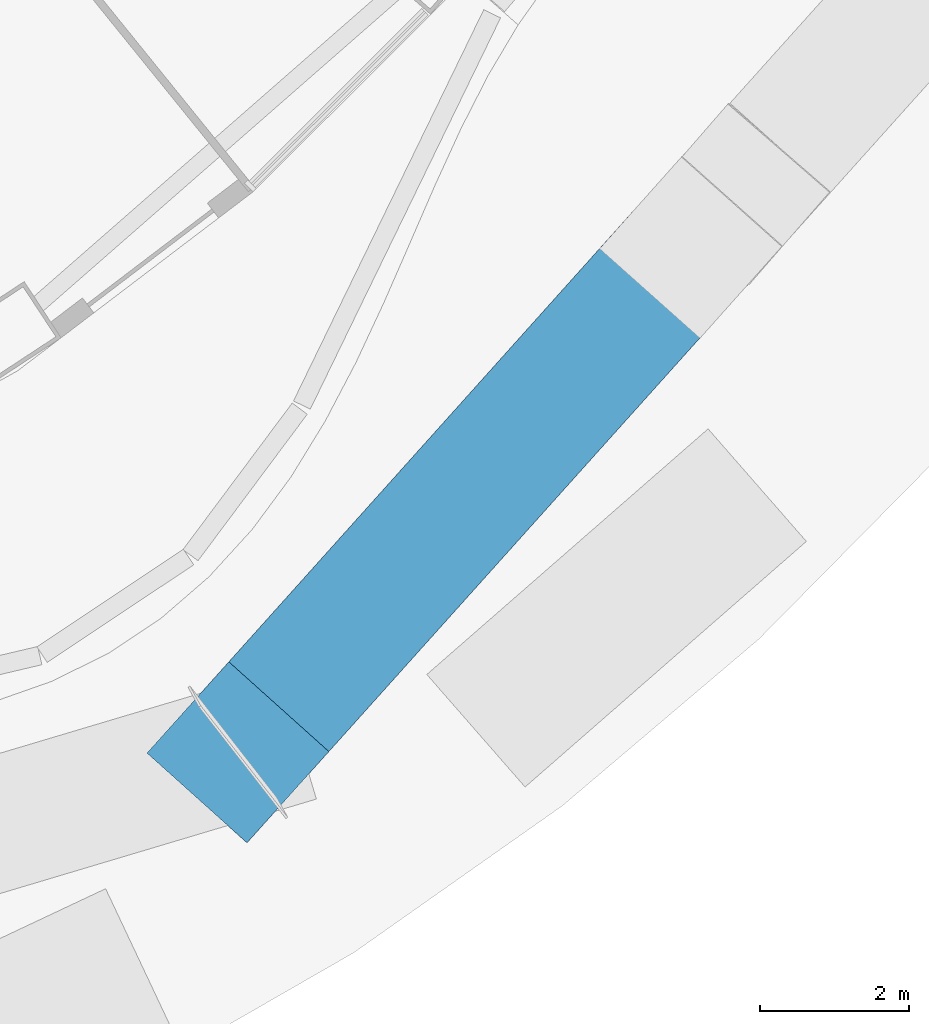
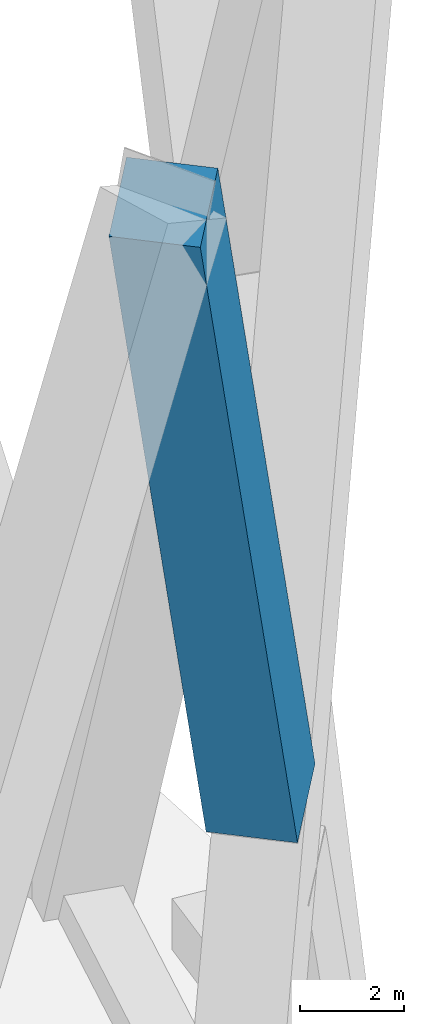
# One storey, part 11 of 42: 1 member.
"""IFC4 building model written with IfcOpenShell, lengths in metres."""

from ifc_helpers import new_model, si_unit, direction, frame, origin, origin_2d, place, context, subcontext, project, spatial, rectangle, extrude, material, material_profile, profile_set, type_object, element, save


model = new_model("IFC4")

# Units and contexts
model_context = context("Model", 3, precision=1e-05, world=origin(), true_north=direction((0.0, 1.0)))
body_context = subcontext(model_context, "Body", "Model", "MODEL_VIEW")
ifc_project = project(units=[si_unit("LENGTHUNIT", "METRE"), si_unit("AREAUNIT", "SQUARE_METRE"), si_unit("VOLUMEUNIT", "CUBIC_METRE"), si_unit("PLANEANGLEUNIT", "RADIAN"), si_unit("MASSUNIT", "GRAM", prefix="KILO")], contexts=[model_context])

# Site, building, storey
site_placement = place(None, origin())
site = spatial("IfcSite", under=ifc_project, at=site_placement, CompositionType="ELEMENT")
building_placement = place(site_placement, origin())
building = spatial("IfcBuilding", under=site, at=building_placement, Name="Nagisa Residences", CompositionType="ELEMENT")
storey_placement = place(building_placement, frame((0.0, 0.0, 27.0)))
storey = spatial("IfcBuildingStorey", under=building, at=storey_placement, Name="L05", CompositionType="ELEMENT", Elevation=27.0)

# Member
ifc_material = material(Name="Concrete C80", Category="concrete")
ifc_material_profile = material_profile(ifc_material, rectangle(XDim=1.800048828125, YDim=1.800048828125, at=origin_2d()), Name="C80 1800x1800")
ifc_profile_set = profile_set([ifc_material_profile], Name="Concrete C80")
member_type = type_object("IfcMemberType", Name="Cage diagonal 1 C80 1800x1800", PredefinedType="BRACE", material=ifc_profile_set)
member_placement = place(storey_placement, frame((27.11328125, -26.93017578125, 22.38037109375), z_axis=(-0.273553320431, -0.304912543433, 0.912248278561), x_axis=(0.744346805607, -0.667793256168, 0.0)))
element("IfcMember", 1, at=member_placement, inside=storey, type_object=member_type, Name="mem:L05:cg1d122b", PredefinedType="BRACE", context=body_context, shape_type="SweptSolid", body=[
    extrude(rectangle(XDim=1.800048828125, YDim=1.800048828125, at=origin_2d()), origin(), (0.0, 0.0, 1.0), 22.164794921875),
])

save(model, "model.ifc")
